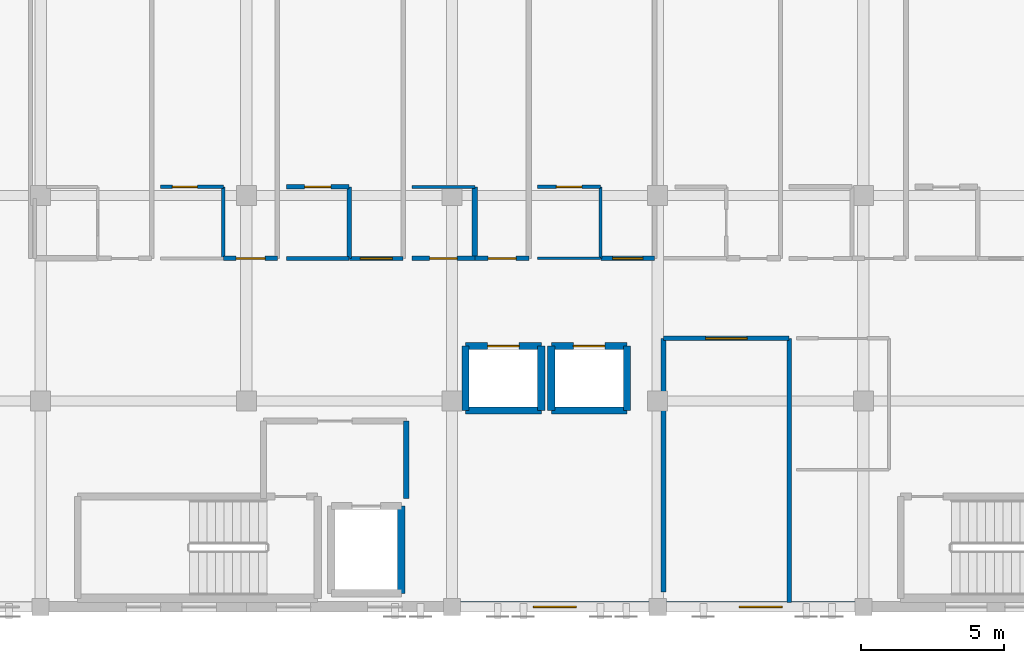
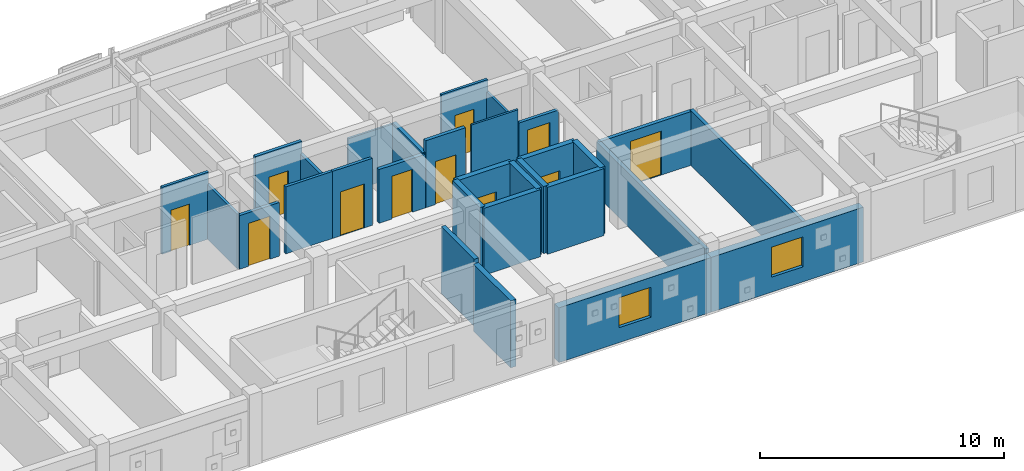
# One storey, part 38 of 48: 30 walls, 11 doors, 2 windows, 13 openings.
"""IFC4 building model written with IfcOpenShell, lengths in metres."""

from ifc_helpers import new_model, si_unit, direction, frame, frame_2d, origin, place, context, subcontext, project, spatial, rectangle, extrude, material, layer, layer_set, type_object, element, fill, save


model = new_model("IFC4")

# Units and contexts
model_context = context("Model", 3, precision=1e-05, world=origin(), true_north=direction((0.0, 1.0)))
body_context = subcontext(model_context, "Body", "Model", "MODEL_VIEW")
ifc_project = project(units=[si_unit("LENGTHUNIT", "METRE"), si_unit("AREAUNIT", "SQUARE_METRE"), si_unit("VOLUMEUNIT", "CUBIC_METRE"), si_unit("PLANEANGLEUNIT", "RADIAN"), si_unit("MASSUNIT", "GRAM", prefix="KILO")], contexts=[model_context])

# Site, building, storey
site_placement = place(None, origin())
site = spatial("IfcSite", under=ifc_project, at=site_placement, CompositionType="ELEMENT")
building_placement = place(site_placement, origin())
building = spatial("IfcBuilding", under=site, at=building_placement, Name="Carrowvane Square Congress Hotel", CompositionType="ELEMENT")
storey_placement = place(building_placement, frame((0.0, 0.0, 26.39990234375)))
storey = spatial("IfcBuildingStorey", under=building, at=storey_placement, Name="L06", CompositionType="ELEMENT", Elevation=26.39990234375)

# Wall, opening, window
ifc_material_1 = material(Name="Glazed terracotta rainscreen", Category="masonry")
ifc_layer_1 = layer(ifc_material_1, 0.360107421875)
ifc_layer_set_1 = layer_set([ifc_layer_1], Name="Glazed terracotta rainscreen")
wall_type_1 = type_object("IfcWallType", Name="WL-EXT-TC360", PredefinedType="STANDARD", material=ifc_layer_set_1)
wall_1_placement = place(storey_placement, frame((98.0, 91.800048828125, 0.0), z_axis=(0.0, 0.0, 1.0), x_axis=(-1.0, 0.0, 0.0)))
wall_1 = element("IfcWall", 1, at=wall_1_placement, inside=storey, type_object=wall_type_1, Name="L06 exterior facade wall 495", PredefinedType="STANDARD", context=body_context, shape_type="SweptSolid", body=[
    extrude(rectangle(XDim=7.199951171875, YDim=0.360107421875, at=frame_2d((3.60009765625, 0.0))), origin(), (0.0, 0.0, 1.0), 2.735107421875),
])
opening_1_placement = place(wall_1_placement, frame((2.85009765625, 0.0, 0.75)))
opening_1 = element("IfcOpeningElement", 2, at=opening_1_placement, cuts=wall_1, Name="Opening W-15", PredefinedType="OPENING", context=body_context, shape_type="SweptSolid", body=[
    extrude(rectangle(XDim=1.5, YDim=1.5, at=frame_2d((0.75, 0.75))), frame((0.0, 0.18994140625, 0.0), z_axis=(0.0, -1.0, 0.0), x_axis=(1.0, 0.0, 0.0)), (0.0, 0.0, 1.0), 0.380126953125),
])
ifc_material_2 = material(Name="Double-glazed low-E glass", Category="glass")
window_type = type_object("IfcWindowType", Name="WIN-15", PartitioningType="SINGLE_PANEL", PredefinedType="WINDOW", material=ifc_material_2)
window_1_placement = place(opening_1_placement, origin())
window_1 = element("IfcWindow", 3, at=window_1_placement, inside=storey, type_object=window_type, Name="L06 facade window 328", OverallHeight=1.5, OverallWidth=1.5, PartitioningType="SINGLE_PANEL", PredefinedType="WINDOW", context=body_context, shape_type="SweptSolid", body=[
    extrude(rectangle(XDim=1.5, YDim=1.5, at=frame_2d((0.75, 0.75))), frame((0.0, 0.030029296875, 0.0), z_axis=(0.0, -1.0, 0.0), x_axis=(1.0, 0.0, 0.0)), (0.0, 0.0, 1.0), 0.06005859375),
])
fill(opening_1, window_1)

wall_2_placement = place(storey_placement, frame((90.800048828125, 91.800048828125, 0.0), z_axis=(0.0, 0.0, 1.0), x_axis=(-1.0, 0.0, 0.0)))
wall_2 = element("IfcWall", 4, at=wall_2_placement, inside=storey, type_object=wall_type_1, Name="L06 exterior facade wall 496", PredefinedType="STANDARD", context=body_context, shape_type="SweptSolid", body=[
    extrude(rectangle(XDim=7.199951171875, YDim=0.360107421875, at=frame_2d((3.60009765625, 0.0))), origin(), (0.0, 0.0, 1.0), 2.735107421875),
])
opening_2_placement = place(wall_2_placement, frame((2.85009765625, 0.0, 0.75)))
opening_2 = element("IfcOpeningElement", 5, at=opening_2_placement, cuts=wall_2, Name="Opening W-15", PredefinedType="OPENING", context=body_context, shape_type="SweptSolid", body=[
    extrude(rectangle(XDim=1.5, YDim=1.5, at=frame_2d((0.75, 0.75))), frame((0.0, 0.18994140625, 0.0), z_axis=(0.0, -1.0, 0.0), x_axis=(1.0, 0.0, 0.0)), (0.0, 0.0, 1.0), 0.380126953125),
])
window_2_placement = place(opening_2_placement, origin())
window_2 = element("IfcWindow", 6, at=window_2_placement, inside=storey, type_object=window_type, Name="L06 facade window 329", OverallHeight=1.5, OverallWidth=1.5, PartitioningType="SINGLE_PANEL", PredefinedType="WINDOW", context=body_context, shape_type="SweptSolid", body=[
    extrude(rectangle(XDim=1.5, YDim=1.5, at=frame_2d((0.75, 0.75))), frame((0.0, 0.030029296875, 0.0), z_axis=(0.0, -1.0, 0.0), x_axis=(1.0, 0.0, 0.0)), (0.0, 0.0, 1.0), 0.06005859375),
])
fill(opening_2, window_2)

# Wall
ifc_material_3 = material(Name="Acoustic gypsum board", Category="gypsum")
ifc_layer_2 = layer(ifc_material_3, 0.155029296875)
ifc_layer_set_2 = layer_set([ifc_layer_2], Name="Acoustic gypsum board")
wall_type_2 = type_object("IfcWallType", Name="WL-FIR-155", PredefinedType="PARTITIONING", material=ifc_layer_set_2)
wall_3_placement = place(storey_placement, frame((95.39990234375, 101.199951171875, 0.0), z_axis=(0.0, 0.0, 1.0), x_axis=(0.0, -1.0, 0.0)))
element("IfcWall", 7, at=wall_3_placement, inside=storey, type_object=wall_type_2, Name="L06 L06 Housekeeping Linen Pantry partition", PredefinedType="PARTITIONING", context=body_context, shape_type="SweptSolid", body=[
    extrude(rectangle(XDim=9.239990234375, YDim=0.155029296875, at=frame_2d((4.6201171875, 0.0))), origin(), (0.0, 0.0, 1.0), 2.735107421875),
])

# Wall, opening, door
wall_4_placement = place(storey_placement, frame((77.800048828125, 106.5, 0.0), z_axis=(0.0, 0.0, 1.0), x_axis=(1.0, 0.0, 0.0)))
wall_4 = element("IfcWall", 8, at=wall_4_placement, inside=storey, type_object=wall_type_2, Name="L06 En-suite Bathroom 0614 partition", PredefinedType="PARTITIONING", context=body_context, shape_type="SweptSolid", body=[
    extrude(rectangle(XDim=2.199951171875, YDim=0.155029296875, at=frame_2d((1.10009765625, 0.0))), origin(), (0.0, 0.0, 1.0), 3.35009765625),
])
opening_3_placement = place(wall_4_placement, frame((0.639892578125, 0.0, 0.0)))
opening_3 = element("IfcOpeningElement", 9, at=opening_3_placement, cuts=wall_4, Name="Opening ID-03", PredefinedType="OPENING", context=body_context, shape_type="SweptSolid", body=[
    extrude(rectangle(XDim=0.919921875, YDim=2.10009765625, at=frame_2d((0.4599609375, 1.050048828125))), frame((0.0, 0.08740234375, 0.0), z_axis=(0.0, -1.0, 0.0), x_axis=(1.0, 0.0, 0.0)), (0.0, 0.0, 1.0), 0.175048828125),
])
ifc_material_4 = material(Name="European oak timber", Category="wood")
door_type_1 = type_object("IfcDoorType", Name="DR-INT-0920x2100", OperationType="NOTDEFINED", PredefinedType="DOOR", material=ifc_material_4)
door_1_placement = place(opening_3_placement, origin())
door_1 = element("IfcDoor", 10, at=door_1_placement, inside=storey, type_object=door_type_1, Name="L06 En-suite Bathroom 0614 door", OperationType="SINGLE_SWING_RIGHT", OverallHeight=2.10009765625, OverallWidth=0.919921875, PredefinedType="DOOR", context=body_context, shape_type="SweptSolid", body=[
    extrude(rectangle(XDim=0.919921875, YDim=2.10009765625, at=frame_2d((0.4599609375, 1.050048828125))), frame((0.0, 0.02490234375, 0.0), z_axis=(0.0, -1.0, 0.0), x_axis=(1.0, 0.0, 0.0)), (0.0, 0.0, 1.0), 0.050048828125),
])
fill(opening_3, door_1)

ifc_material_5 = material(Name="Acoustic gypsum board", Category="gypsum")
ifc_layer_3 = layer(ifc_material_5, 0.169921875)
ifc_layer_set_3 = layer_set([ifc_layer_3], Name="Acoustic gypsum board")
wall_type_3 = type_object("IfcWallType", Name="WL-FIR-170", PredefinedType="PARTITIONING", material=ifc_layer_set_3)
wall_5_placement = place(storey_placement, frame((91.0, 101.199951171875, 0.0), z_axis=(0.0, 0.0, 1.0), x_axis=(1.0, 0.0, 0.0)))
wall_5 = element("IfcWall", 11, at=wall_5_placement, inside=storey, type_object=wall_type_3, Name="L06 L06 Housekeeping Linen Pantry partition", PredefinedType="PARTITIONING", context=body_context, shape_type="SweptSolid", body=[
    extrude(rectangle(XDim=4.39990234375, YDim=0.169921875, at=frame_2d((2.199951171875, 0.0))), origin(), (0.0, 0.0, 1.0), 2.68505859375),
])
opening_4_placement = place(wall_5_placement, frame((1.47509765625, 0.0, 0.0)))
opening_4 = element("IfcOpeningElement", 12, at=opening_4_placement, cuts=wall_5, Name="Opening FD-11", PredefinedType="OPENING", context=body_context, shape_type="SweptSolid", body=[
    extrude(rectangle(XDim=1.449951171875, YDim=2.199951171875, at=frame_2d((0.72509765625, 1.10009765625))), frame((0.0, 0.094970703125, 0.0), z_axis=(0.0, -1.0, 0.0), x_axis=(1.0, 0.0, 0.0)), (0.0, 0.0, 1.0), 0.18994140625),
])
ifc_material_6 = material(Name="European oak timber", Category="wood")
door_type_2 = type_object("IfcDoorType", Name="DR-FD30-1450x2200", OperationType="DOUBLE_DOOR_SINGLE_SWING", PredefinedType="DOOR", material=ifc_material_6)
door_2_placement = place(opening_4_placement, origin())
door_2 = element("IfcDoor", 13, at=door_2_placement, inside=storey, type_object=door_type_2, Name="L06 L06 Housekeeping Linen Pantry entrance door", OperationType="DOUBLE_DOOR_SINGLE_SWING", OverallHeight=2.199951171875, OverallWidth=1.449951171875, PredefinedType="DOOR", context=body_context, shape_type="SweptSolid", body=[
    extrude(rectangle(XDim=1.449951171875, YDim=2.199951171875, at=frame_2d((0.72509765625, 1.10009765625))), frame((0.0, 0.02490234375, 0.0), z_axis=(0.0, -1.0, 0.0), x_axis=(1.0, 0.0, 0.0)), (0.0, 0.0, 1.0), 0.050048828125),
])
fill(opening_4, door_2)

wall_6_placement = place(storey_placement, frame((84.39990234375, 104.0, 0.0), z_axis=(0.0, 0.0, 1.0), x_axis=(-1.0, 0.0, 0.0)))
wall_6 = element("IfcWall", 14, at=wall_6_placement, inside=storey, type_object=wall_type_3, Name="L06 En-suite Bathroom 0615 partition", PredefinedType="PARTITIONING", context=body_context, shape_type="SweptSolid", body=[
    extrude(rectangle(XDim=2.199951171875, YDim=0.169921875, at=frame_2d((1.10009765625, 0.0))), origin(), (0.0, 0.0, 1.0), 2.68505859375),
])
opening_5_placement = place(wall_6_placement, frame((0.6201171875, 0.0, 0.0)))
opening_5 = element("IfcOpeningElement", 15, at=opening_5_placement, cuts=wall_6, Name="Opening ID-05", PredefinedType="OPENING", context=body_context, shape_type="SweptSolid", body=[
    extrude(rectangle(XDim=0.9599609375, YDim=2.139892578125, at=frame_2d((0.47998046875, 1.06982421875))), frame((0.0, 0.094970703125, 0.0), z_axis=(0.0, -1.0, 0.0), x_axis=(1.0, 0.0, 0.0)), (0.0, 0.0, 1.0), 0.18994140625),
])
ifc_material_7 = material(Name="European oak timber", Category="wood")
door_type_3 = type_object("IfcDoorType", Name="DR-INT-0960x2140", OperationType="NOTDEFINED", PredefinedType="DOOR", material=ifc_material_7)
door_3_placement = place(opening_5_placement, origin())
door_3 = element("IfcDoor", 16, at=door_3_placement, inside=storey, type_object=door_type_3, Name="L06 En-suite Bathroom 0615 door", OperationType="SINGLE_SWING_RIGHT", OverallHeight=2.139892578125, OverallWidth=0.9599609375, PredefinedType="DOOR", context=body_context, shape_type="SweptSolid", body=[
    extrude(rectangle(XDim=0.9599609375, YDim=2.139892578125, at=frame_2d((0.47998046875, 1.06982421875))), frame((0.0, 0.02490234375, 0.0), z_axis=(0.0, -1.0, 0.0), x_axis=(1.0, 0.0, 0.0)), (0.0, 0.0, 1.0), 0.050048828125),
])
fill(opening_5, door_3)

wall_7_placement = place(storey_placement, frame((86.2900390625, 104.0, 0.0), z_axis=(0.0, 0.0, 1.0), x_axis=(-1.0, 0.0, 0.0)))
wall_7 = element("IfcWall", 17, at=wall_7_placement, inside=storey, type_object=wall_type_3, Name="L06 Parkview Guest Bedroom 0615 partition", PredefinedType="PARTITIONING", context=body_context, shape_type="SweptSolid", body=[
    extrude(rectangle(XDim=1.880126953125, YDim=0.169921875, at=frame_2d((0.93994140625, 0.0))), origin(), (0.0, 0.0, 1.0), 3.35009765625),
])
opening_6_placement = place(wall_7_placement, frame((0.449951171875, 0.0, 0.0)))
opening_6 = element("IfcOpeningElement", 18, at=opening_6_placement, cuts=wall_7, Name="Opening FD-07", PredefinedType="OPENING", context=body_context, shape_type="SweptSolid", body=[
    extrude(rectangle(XDim=0.97998046875, YDim=2.14990234375, at=frame_2d((0.489990234375, 1.074951171875))), frame((0.0, 0.094970703125, 0.0), z_axis=(0.0, -1.0, 0.0), x_axis=(1.0, 0.0, 0.0)), (0.0, 0.0, 1.0), 0.18994140625),
])
ifc_material_8 = material(Name="European oak timber", Category="wood")
door_type_4 = type_object("IfcDoorType", Name="DR-FD30-0980x2150", OperationType="NOTDEFINED", PredefinedType="DOOR", material=ifc_material_8)
door_4_placement = place(opening_6_placement, origin())
door_4 = element("IfcDoor", 19, at=door_4_placement, inside=storey, type_object=door_type_4, Name="L06 Parkview Guest Bedroom 0615 entrance door", OperationType="SINGLE_SWING_LEFT", OverallHeight=2.14990234375, OverallWidth=0.97998046875, PredefinedType="DOOR", context=body_context, shape_type="SweptSolid", body=[
    extrude(rectangle(XDim=0.97998046875, YDim=2.14990234375, at=frame_2d((0.489990234375, 1.074951171875))), frame((0.0, 0.02490234375, 0.0), z_axis=(0.0, -1.0, 0.0), x_axis=(1.0, 0.0, 0.0)), (0.0, 0.0, 1.0), 0.050048828125),
])
fill(opening_6, door_4)

# Walls
ifc_material_9 = material(Name="Acoustic gypsum board", Category="gypsum")
ifc_layer_4 = layer(ifc_material_9, 0.18505859375)
ifc_layer_set_4 = layer_set([ifc_layer_4], Name="Acoustic gypsum board")
wall_type_4 = type_object("IfcWallType", Name="WL-FIR-185", PredefinedType="PARTITIONING", material=ifc_layer_set_4)
wall_8_placement = place(storey_placement, frame((91.0, 92.320068359375, 0.0), z_axis=(0.0, 0.0, 1.0), x_axis=(0.0, 1.0, 0.0)))
element("IfcWall", 20, at=wall_8_placement, inside=storey, type_object=wall_type_4, Name="L06 L06 Housekeeping Linen Pantry partition", PredefinedType="PARTITIONING", context=body_context, shape_type="SweptSolid", body=[
    extrude(rectangle(XDim=8.8798828125, YDim=0.18505859375, at=frame_2d((4.43994140625, 0.0))), origin(), (0.0, 0.0, 1.0), 2.68505859375),
])
wall_9_placement = place(storey_placement, frame((84.39990234375, 106.5, 0.0), z_axis=(0.0, 0.0, 1.0), x_axis=(0.0, -1.0, 0.0)))
element("IfcWall", 21, at=wall_9_placement, inside=storey, type_object=wall_type_4, Name="L06 En-suite Bathroom 0615 partition", PredefinedType="PARTITIONING", context=body_context, shape_type="SweptSolid", body=[
    extrude(rectangle(XDim=2.5, YDim=0.18505859375, at=frame_2d((1.25, 0.0))), origin(), (0.0, 0.0, 1.0), 2.735107421875),
])
ifc_material_10 = material(Name="Acoustic gypsum board", Category="gypsum")
ifc_layer_5 = layer(ifc_material_10, 0.205078125)
ifc_layer_set_5 = layer_set([ifc_layer_5], Name="Acoustic gypsum board")
wall_type_5 = type_object("IfcWallType", Name="WL-FIR-205", PredefinedType="PARTITIONING", material=ifc_layer_set_5)
wall_10_placement = place(storey_placement, frame((82.0, 95.60009765625, 0.0), z_axis=(0.0, 0.0, 1.0), x_axis=(0.0, 1.0, 0.0)))
element("IfcWall", 22, at=wall_10_placement, inside=storey, type_object=wall_type_5, Name="L06 Firefighting Lobby C2 wall east", PredefinedType="PARTITIONING", context=body_context, shape_type="SweptSolid", body=[
    extrude(rectangle(XDim=2.699951171875, YDim=0.205078125, at=frame_2d((1.35009765625, 0.0))), origin(), (0.0, 0.0, 1.0), 3.35009765625),
])
ifc_material_11 = material(Name="Acoustic gypsum board", Category="gypsum")
ifc_layer_6 = layer(ifc_material_11, 0.097900390625)
ifc_layer_set_6 = layer_set([ifc_layer_6], Name="Acoustic gypsum board")
wall_type_6 = type_object("IfcWallType", Name="WL-PRT-098", PredefinedType="PARTITIONING", material=ifc_layer_set_6)
wall_11_placement = place(storey_placement, frame((82.199951171875, 106.5, 0.0), z_axis=(0.0, 0.0, 1.0), x_axis=(1.0, 0.0, 0.0)))
element("IfcWall", 23, at=wall_11_placement, inside=storey, type_object=wall_type_6, Name="L06 En-suite Bathroom 0615 partition", PredefinedType="PARTITIONING", context=body_context, shape_type="SweptSolid", body=[
    extrude(rectangle(XDim=2.199951171875, YDim=0.097900390625, at=frame_2d((1.10009765625, 0.0))), origin(), (0.0, 0.0, 1.0), 2.68505859375),
])
wall_12_placement = place(storey_placement, frame((88.800048828125, 104.0, 0.0), z_axis=(0.0, 0.0, 1.0), x_axis=(-1.0, 0.0, 0.0)))
element("IfcWall", 24, at=wall_12_placement, inside=storey, type_object=wall_type_6, Name="L06 En-suite Bathroom 0616 partition", PredefinedType="PARTITIONING", context=body_context, shape_type="SweptSolid", body=[
    extrude(rectangle(XDim=2.199951171875, YDim=0.097900390625, at=frame_2d((1.10009765625, 0.0))), origin(), (0.0, 0.0, 1.0), 3.35009765625),
])
ifc_material_12 = material(Name="Acoustic gypsum board", Category="gypsum")
ifc_layer_7 = layer(ifc_material_12, 0.10791015625)
ifc_layer_set_7 = layer_set([ifc_layer_7], Name="Acoustic gypsum board")
wall_type_7 = type_object("IfcWallType", Name="WL-PRT-108", PredefinedType="PARTITIONING", material=ifc_layer_set_7)
wall_13_placement = place(storey_placement, frame((88.800048828125, 106.5, 0.0), z_axis=(0.0, 0.0, 1.0), x_axis=(0.0, -1.0, 0.0)))
element("IfcWall", 25, at=wall_13_placement, inside=storey, type_object=wall_type_7, Name="L06 En-suite Bathroom 0616 partition", PredefinedType="PARTITIONING", context=body_context, shape_type="SweptSolid", body=[
    extrude(rectangle(XDim=2.5, YDim=0.10791015625, at=frame_2d((1.25, 0.0))), origin(), (0.0, 0.0, 1.0), 2.735107421875),
])
ifc_material_13 = material(Name="Acoustic gypsum board", Category="gypsum")
ifc_layer_8 = layer(ifc_material_13, 0.117919921875)
ifc_layer_set_8 = layer_set([ifc_layer_8], Name="Acoustic gypsum board")
wall_type_8 = type_object("IfcWallType", Name="WL-PRT-118", PredefinedType="PARTITIONING", material=ifc_layer_set_8)
wall_14_placement = place(storey_placement, frame((75.60009765625, 106.5, 0.0), z_axis=(0.0, 0.0, 1.0), x_axis=(0.0, -1.0, 0.0)))
element("IfcWall", 26, at=wall_14_placement, inside=storey, type_object=wall_type_8, Name="L06 En-suite Bathroom 0613 partition", PredefinedType="PARTITIONING", context=body_context, shape_type="SweptSolid", body=[
    extrude(rectangle(XDim=2.5, YDim=0.117919921875, at=frame_2d((1.25, 0.0))), origin(), (0.0, 0.0, 1.0), 2.735107421875),
])

# Wall, opening, door
wall_15_placement = place(storey_placement, frame((86.60009765625, 106.5, 0.0), z_axis=(0.0, 0.0, 1.0), x_axis=(1.0, 0.0, 0.0)))
wall_15 = element("IfcWall", 27, at=wall_15_placement, inside=storey, type_object=wall_type_8, Name="L06 En-suite Bathroom 0616 partition", PredefinedType="PARTITIONING", context=body_context, shape_type="SweptSolid", body=[
    extrude(rectangle(XDim=2.199951171875, YDim=0.117919921875, at=frame_2d((1.10009765625, 0.0))), origin(), (0.0, 0.0, 1.0), 3.35009765625),
])
opening_7_placement = place(wall_15_placement, frame((0.655029296875, 0.0, 0.0)))
opening_7 = element("IfcOpeningElement", 28, at=opening_7_placement, cuts=wall_15, Name="Opening ID-16", PredefinedType="OPENING", context=body_context, shape_type="SweptSolid", body=[
    extrude(rectangle(XDim=0.889892578125, YDim=2.090087890625, at=frame_2d((0.44482421875, 1.044921875))), frame((0.0, 0.06884765625, 0.0), z_axis=(0.0, -1.0, 0.0), x_axis=(1.0, 0.0, 0.0)), (0.0, 0.0, 1.0), 0.137939453125),
])
ifc_material_14 = material(Name="European oak timber", Category="wood")
door_type_5 = type_object("IfcDoorType", Name="DR-INT-0890x2090", OperationType="NOTDEFINED", PredefinedType="DOOR", material=ifc_material_14)
door_5_placement = place(opening_7_placement, origin())
door_5 = element("IfcDoor", 29, at=door_5_placement, inside=storey, type_object=door_type_5, Name="L06 En-suite Bathroom 0616 door", OperationType="SINGLE_SWING_RIGHT", OverallHeight=2.090087890625, OverallWidth=0.889892578125, PredefinedType="DOOR", context=body_context, shape_type="SweptSolid", body=[
    extrude(rectangle(XDim=0.889892578125, YDim=2.090087890625, at=frame_2d((0.44482421875, 1.044921875))), frame((0.0, 0.02490234375, 0.0), z_axis=(0.0, -1.0, 0.0), x_axis=(1.0, 0.0, 0.0)), (0.0, 0.0, 1.0), 0.050048828125),
])
fill(opening_7, door_5)

ifc_material_15 = material(Name="Acoustic gypsum board", Category="gypsum")
ifc_layer_9 = layer(ifc_material_15, 0.1279296875)
ifc_layer_set_9 = layer_set([ifc_layer_9], Name="Acoustic gypsum board")
wall_type_9 = type_object("IfcWallType", Name="WL-PRT-128", PredefinedType="PARTITIONING", material=ifc_layer_set_9)
wall_16_placement = place(storey_placement, frame((73.39990234375, 106.5, 0.0), z_axis=(0.0, 0.0, 1.0), x_axis=(1.0, 0.0, 0.0)))
wall_16 = element("IfcWall", 30, at=wall_16_placement, inside=storey, type_object=wall_type_9, Name="L06 En-suite Bathroom 0613 partition", PredefinedType="PARTITIONING", context=body_context, shape_type="SweptSolid", body=[
    extrude(rectangle(XDim=2.2001953125, YDim=0.1279296875, at=frame_2d((1.10009765625, 0.0))), origin(), (0.0, 0.0, 1.0), 3.35009765625),
])
opening_8_placement = place(wall_16_placement, frame((0.409912109375, 0.0, 0.0)))
opening_8 = element("IfcOpeningElement", 31, at=opening_8_placement, cuts=wall_16, Name="Opening ID-01", PredefinedType="OPENING", context=body_context, shape_type="SweptSolid", body=[
    extrude(rectangle(XDim=0.8798828125, YDim=2.06005859375, at=frame_2d((0.43994140625, 1.030029296875))), frame((0.0, 0.073974609375, 0.0), z_axis=(0.0, -1.0, 0.0), x_axis=(1.0, 0.0, 0.0)), (0.0, 0.0, 1.0), 0.14794921875),
])
ifc_material_16 = material(Name="European oak timber", Category="wood")
door_type_6 = type_object("IfcDoorType", Name="DR-INT-0880x2060", OperationType="NOTDEFINED", PredefinedType="DOOR", material=ifc_material_16)
door_6_placement = place(opening_8_placement, origin())
door_6 = element("IfcDoor", 32, at=door_6_placement, inside=storey, type_object=door_type_6, Name="L06 En-suite Bathroom 0613 door", OperationType="SINGLE_SWING_RIGHT", OverallHeight=2.06005859375, OverallWidth=0.8798828125, PredefinedType="DOOR", context=body_context, shape_type="SweptSolid", body=[
    extrude(rectangle(XDim=0.8798828125, YDim=2.06005859375, at=frame_2d((0.43994140625, 1.030029296875))), frame((0.0, 0.02490234375, 0.0), z_axis=(0.0, -1.0, 0.0), x_axis=(1.0, 0.0, 0.0)), (0.0, 0.0, 1.0), 0.050048828125),
])
fill(opening_8, door_6)

# Wall
ifc_material_17 = material(Name="Acoustic gypsum board", Category="gypsum")
ifc_layer_10 = layer(ifc_material_17, 0.137939453125)
ifc_layer_set_10 = layer_set([ifc_layer_10], Name="Acoustic gypsum board")
wall_type_10 = type_object("IfcWallType", Name="WL-PRT-138", PredefinedType="PARTITIONING", material=ifc_layer_set_10)
wall_17_placement = place(storey_placement, frame((80.0, 104.0, 0.0), z_axis=(0.0, 0.0, 1.0), x_axis=(-1.0, 0.0, 0.0)))
element("IfcWall", 33, at=wall_17_placement, inside=storey, type_object=wall_type_10, Name="L06 En-suite Bathroom 0614 partition", PredefinedType="PARTITIONING", context=body_context, shape_type="SweptSolid", body=[
    extrude(rectangle(XDim=2.199951171875, YDim=0.137939453125, at=frame_2d((1.10009765625, 0.0))), origin(), (0.0, 0.0, 1.0), 3.35009765625),
])

# Wall, opening, door
wall_18_placement = place(storey_placement, frame((81.889892578125, 104.0, 0.0), z_axis=(0.0, 0.0, 1.0), x_axis=(-1.0, 0.0, 0.0)))
wall_18 = element("IfcWall", 34, at=wall_18_placement, inside=storey, type_object=wall_type_10, Name="L06 Parkview Guest Bedroom 0614 partition", PredefinedType="PARTITIONING", context=body_context, shape_type="SweptSolid", body=[
    extrude(rectangle(XDim=1.8798828125, YDim=0.137939453125, at=frame_2d((0.93994140625, 0.0))), origin(), (0.0, 0.0, 1.0), 3.35009765625),
])
opening_9_placement = place(wall_18_placement, frame((0.3798828125, 0.0, 0.0)))
opening_9 = element("IfcOpeningElement", 35, at=opening_9_placement, cuts=wall_18, Name="Opening FD-10", PredefinedType="OPENING", context=body_context, shape_type="SweptSolid", body=[
    extrude(rectangle(XDim=1.1201171875, YDim=2.199951171875, at=frame_2d((0.56005859375, 1.10009765625))), frame((0.0, 0.078857421875, 0.0), z_axis=(0.0, -1.0, 0.0), x_axis=(1.0, 0.0, 0.0)), (0.0, 0.0, 1.0), 0.157958984375),
])
ifc_material_18 = material(Name="European oak timber", Category="wood")
door_type_7 = type_object("IfcDoorType", Name="DR-FD30-1120x2200", OperationType="NOTDEFINED", PredefinedType="DOOR", material=ifc_material_18)
door_7_placement = place(opening_9_placement, origin())
door_7 = element("IfcDoor", 36, at=door_7_placement, inside=storey, type_object=door_type_7, Name="L06 Parkview Guest Bedroom 0614 entrance door", OperationType="SINGLE_SWING_LEFT", OverallHeight=2.199951171875, OverallWidth=1.1201171875, PredefinedType="DOOR", context=body_context, shape_type="SweptSolid", body=[
    extrude(rectangle(XDim=1.1201171875, YDim=2.199951171875, at=frame_2d((0.56005859375, 1.10009765625))), frame((0.0, 0.02490234375, 0.0), z_axis=(0.0, -1.0, 0.0), x_axis=(1.0, 0.0, 0.0)), (0.0, 0.0, 1.0), 0.050048828125),
])
fill(opening_9, door_7)

ifc_material_19 = material(Name="Acoustic gypsum board", Category="gypsum")
ifc_layer_11 = layer(ifc_material_19, 0.14794921875)
ifc_layer_set_11 = layer_set([ifc_layer_11], Name="Acoustic gypsum board")
wall_type_11 = type_object("IfcWallType", Name="WL-PRT-148", PredefinedType="PARTITIONING", material=ifc_layer_set_11)
wall_19_placement = place(storey_placement, frame((77.489990234375, 104.0, 0.0), z_axis=(0.0, 0.0, 1.0), x_axis=(-1.0, 0.0, 0.0)))
wall_19 = element("IfcWall", 37, at=wall_19_placement, inside=storey, type_object=wall_type_11, Name="L06 Parkview Guest Bedroom 0613 partition", PredefinedType="PARTITIONING", context=body_context, shape_type="SweptSolid", body=[
    extrude(rectangle(XDim=1.8798828125, YDim=0.14794921875, at=frame_2d((0.93994140625, 0.0))), origin(), (0.0, 0.0, 1.0), 2.68505859375),
])
opening_10_placement = place(wall_19_placement, frame((0.429931640625, 0.0, 0.0)))
opening_10 = element("IfcOpeningElement", 38, at=opening_10_placement, cuts=wall_19, Name="Opening FD-08", PredefinedType="OPENING", context=body_context, shape_type="SweptSolid", body=[
    extrude(rectangle(XDim=1.02001953125, YDim=2.14990234375, at=frame_2d((0.510009765625, 1.074951171875))), frame((0.0, 0.083984375, 0.0), z_axis=(0.0, -1.0, 0.0), x_axis=(1.0, 0.0, 0.0)), (0.0, 0.0, 1.0), 0.16796875),
])
ifc_material_20 = material(Name="European oak timber", Category="wood")
door_type_8 = type_object("IfcDoorType", Name="DR-FD30-1020x2150", OperationType="NOTDEFINED", PredefinedType="DOOR", material=ifc_material_20)
door_8_placement = place(opening_10_placement, origin())
door_8 = element("IfcDoor", 39, at=door_8_placement, inside=storey, type_object=door_type_8, Name="L06 Parkview Guest Bedroom 0613 entrance door", OperationType="SINGLE_SWING_LEFT", OverallHeight=2.14990234375, OverallWidth=1.02001953125, PredefinedType="DOOR", context=body_context, shape_type="SweptSolid", body=[
    extrude(rectangle(XDim=1.02001953125, YDim=2.14990234375, at=frame_2d((0.510009765625, 1.074951171875))), frame((0.0, 0.02490234375, 0.0), z_axis=(0.0, -1.0, 0.0), x_axis=(1.0, 0.0, 0.0)), (0.0, 0.0, 1.0), 0.050048828125),
])
fill(opening_10, door_8)

# Wall
wall_20_placement = place(storey_placement, frame((80.0, 106.5, 0.0), z_axis=(0.0, 0.0, 1.0), x_axis=(0.0, -1.0, 0.0)))
element("IfcWall", 40, at=wall_20_placement, inside=storey, type_object=wall_type_11, Name="L06 En-suite Bathroom 0614 partition", PredefinedType="PARTITIONING", context=body_context, shape_type="SweptSolid", body=[
    extrude(rectangle(XDim=2.5, YDim=0.14794921875, at=frame_2d((1.25, 0.0))), origin(), (0.0, 0.0, 1.0), 2.735107421875),
])

# Wall, opening, door
wall_21_placement = place(storey_placement, frame((90.68994140625, 104.0, 0.0), z_axis=(0.0, 0.0, 1.0), x_axis=(-1.0, 0.0, 0.0)))
wall_21 = element("IfcWall", 41, at=wall_21_placement, inside=storey, type_object=wall_type_11, Name="L06 Parkview Guest Bedroom 0616 partition", PredefinedType="PARTITIONING", context=body_context, shape_type="SweptSolid", body=[
    extrude(rectangle(XDim=1.8798828125, YDim=0.14794921875, at=frame_2d((0.93994140625, 0.0))), origin(), (0.0, 0.0, 1.0), 2.68505859375),
])
opening_11_placement = place(wall_21_placement, frame((0.409912109375, 0.0, 0.0)))
opening_11 = element("IfcOpeningElement", 42, at=opening_11_placement, cuts=wall_21, Name="Opening FD-09", PredefinedType="OPENING", context=body_context, shape_type="SweptSolid", body=[
    extrude(rectangle(XDim=1.06005859375, YDim=2.199951171875, at=frame_2d((0.530029296875, 1.10009765625))), frame((0.0, 0.083984375, 0.0), z_axis=(0.0, -1.0, 0.0), x_axis=(1.0, 0.0, 0.0)), (0.0, 0.0, 1.0), 0.16796875),
])
ifc_material_21 = material(Name="European oak timber", Category="wood")
door_type_9 = type_object("IfcDoorType", Name="DR-FD30-1060x2200", OperationType="NOTDEFINED", PredefinedType="DOOR", material=ifc_material_21)
door_9_placement = place(opening_11_placement, origin())
door_9 = element("IfcDoor", 43, at=door_9_placement, inside=storey, type_object=door_type_9, Name="L06 Parkview Guest Bedroom 0616 entrance door", OperationType="SINGLE_SWING_LEFT", OverallHeight=2.199951171875, OverallWidth=1.06005859375, PredefinedType="DOOR", context=body_context, shape_type="SweptSolid", body=[
    extrude(rectangle(XDim=1.06005859375, YDim=2.199951171875, at=frame_2d((0.530029296875, 1.10009765625))), frame((0.0, 0.02490234375, 0.0), z_axis=(0.0, -1.0, 0.0), x_axis=(1.0, 0.0, 0.0)), (0.0, 0.0, 1.0), 0.050048828125),
])
fill(opening_11, door_9)

# Walls
ifc_material_22 = material(Name="Concrete C40/50", Category="concrete")
ifc_layer_12 = layer(ifc_material_22, 0.25)
ifc_layer_set_12 = layer_set([ifc_layer_12], Name="Concrete C40/50")
wall_type_12 = type_object("IfcWallType", Name="WL-SHR-250", PredefinedType="SHEAR", material=ifc_layer_set_12)
wall_22_placement = place(storey_placement, frame((81.824951171875, 92.27490234375, 0.0), z_axis=(0.0, 0.0, 1.0), x_axis=(0.0, 1.0, 0.0)))
element("IfcWall", 44, at=wall_22_placement, inside=storey, type_object=wall_type_12, Name="L06 FFL-2 shaft wall east", PredefinedType="SHEAR", context=body_context, shape_type="SweptSolid", body=[
    extrude(rectangle(XDim=3.050048828125, YDim=0.25, at=frame_2d((1.52490234375, 0.0))), origin(), (0.0, 0.0, 1.0), 3.35009765625),
])
wall_23_placement = place(storey_placement, frame((84.074951171875, 98.675048828125, 0.0), z_axis=(0.0, 0.0, 1.0), x_axis=(1.0, 0.0, 0.0)))
element("IfcWall", 45, at=wall_23_placement, inside=storey, type_object=wall_type_12, Name="L06 HL-1 shaft wall south", PredefinedType="SHEAR", context=body_context, shape_type="SweptSolid", body=[
    extrude(rectangle(XDim=2.650146484375, YDim=0.25, at=frame_2d((1.3251953125, 0.0))), origin(), (0.0, 0.0, 1.0), 3.35009765625),
])
wall_24_placement = place(storey_placement, frame((86.72509765625, 98.675048828125, 0.0), z_axis=(0.0, 0.0, 1.0), x_axis=(0.0, 1.0, 0.0)))
element("IfcWall", 46, at=wall_24_placement, inside=storey, type_object=wall_type_12, Name="L06 HL-1 shaft wall east", PredefinedType="SHEAR", context=body_context, shape_type="SweptSolid", body=[
    extrude(rectangle(XDim=2.25, YDim=0.25, at=frame_2d((1.125, 0.0))), origin(), (0.0, 0.0, 1.0), 3.35009765625),
])

# Wall, opening, door
wall_25_placement = place(storey_placement, frame((86.72509765625, 100.925048828125, 0.0), z_axis=(0.0, 0.0, 1.0), x_axis=(-1.0, 0.0, 0.0)))
wall_25 = element("IfcWall", 47, at=wall_25_placement, inside=storey, type_object=wall_type_12, Name="L06 HL-1 shaft wall north", PredefinedType="SHEAR", context=body_context, shape_type="SweptSolid", body=[
    extrude(rectangle(XDim=2.650146484375, YDim=0.25, at=frame_2d((1.3251953125, 0.0))), origin(), (0.0, 0.0, 1.0), 3.35009765625),
])
opening_12_placement = place(wall_25_placement, frame((0.77490234375, 0.0, 0.0)))
opening_12 = element("IfcOpeningElement", 48, at=opening_12_placement, cuts=wall_25, Name="Opening LD-HL-1", PredefinedType="OPENING", context=body_context, shape_type="SweptSolid", body=[
    extrude(rectangle(XDim=1.10009765625, YDim=2.14990234375, at=frame_2d((0.550048828125, 1.074951171875))), frame((0.0, 0.135009765625, 0.0), z_axis=(0.0, -1.0, 0.0), x_axis=(1.0, 0.0, 0.0)), (0.0, 0.0, 1.0), 0.27001953125),
])
ifc_material_23 = material(Name="Stainless steel 316", Category="steel")
door_type_10 = type_object("IfcDoorType", Name="DR-LD-1100x2150", OperationType="DOUBLE_DOOR_SLIDING", PredefinedType="DOOR", material=ifc_material_23)
door_10_placement = place(opening_12_placement, origin())
door_10 = element("IfcDoor", 49, at=door_10_placement, inside=storey, type_object=door_type_10, Name="L06 HL-1 sliding lift landing door", OperationType="DOUBLE_DOOR_SLIDING", OverallHeight=2.14990234375, OverallWidth=1.10009765625, PredefinedType="DOOR", context=body_context, shape_type="SweptSolid", body=[
    extrude(rectangle(XDim=1.10009765625, YDim=2.14990234375, at=frame_2d((0.550048828125, 1.074951171875))), frame((0.0, 0.02490234375, 0.0), z_axis=(0.0, -1.0, 0.0), x_axis=(1.0, 0.0, 0.0)), (0.0, 0.0, 1.0), 0.050048828125),
])
fill(opening_12, door_10)

# Walls
wall_26_placement = place(storey_placement, frame((84.074951171875, 100.925048828125, 0.0), z_axis=(0.0, 0.0, 1.0), x_axis=(0.0, -1.0, 0.0)))
element("IfcWall", 50, at=wall_26_placement, inside=storey, type_object=wall_type_12, Name="L06 HL-1 shaft wall west", PredefinedType="SHEAR", context=body_context, shape_type="SweptSolid", body=[
    extrude(rectangle(XDim=2.25, YDim=0.25, at=frame_2d((1.125, 0.0))), origin(), (0.0, 0.0, 1.0), 3.35009765625),
])
wall_27_placement = place(storey_placement, frame((87.074951171875, 98.675048828125, 0.0), z_axis=(0.0, 0.0, 1.0), x_axis=(1.0, 0.0, 0.0)))
element("IfcWall", 51, at=wall_27_placement, inside=storey, type_object=wall_type_12, Name="L06 HL-2 shaft wall south", PredefinedType="SHEAR", context=body_context, shape_type="SweptSolid", body=[
    extrude(rectangle(XDim=2.650146484375, YDim=0.25, at=frame_2d((1.3251953125, 0.0))), origin(), (0.0, 0.0, 1.0), 3.35009765625),
])
wall_28_placement = place(storey_placement, frame((89.72509765625, 98.675048828125, 0.0), z_axis=(0.0, 0.0, 1.0), x_axis=(0.0, 1.0, 0.0)))
element("IfcWall", 52, at=wall_28_placement, inside=storey, type_object=wall_type_12, Name="L06 HL-2 shaft wall east", PredefinedType="SHEAR", context=body_context, shape_type="SweptSolid", body=[
    extrude(rectangle(XDim=2.25, YDim=0.25, at=frame_2d((1.125, 0.0))), origin(), (0.0, 0.0, 1.0), 3.35009765625),
])

# Wall, opening, door
wall_29_placement = place(storey_placement, frame((89.72509765625, 100.925048828125, 0.0), z_axis=(0.0, 0.0, 1.0), x_axis=(-1.0, 0.0, 0.0)))
wall_29 = element("IfcWall", 53, at=wall_29_placement, inside=storey, type_object=wall_type_12, Name="L06 HL-2 shaft wall north", PredefinedType="SHEAR", context=body_context, shape_type="SweptSolid", body=[
    extrude(rectangle(XDim=2.650146484375, YDim=0.25, at=frame_2d((1.3251953125, 0.0))), origin(), (0.0, 0.0, 1.0), 3.35009765625),
])
opening_13_placement = place(wall_29_placement, frame((0.77490234375, 0.0, 0.0)))
opening_13 = element("IfcOpeningElement", 54, at=opening_13_placement, cuts=wall_29, Name="Opening LD-HL-2", PredefinedType="OPENING", context=body_context, shape_type="SweptSolid", body=[
    extrude(rectangle(XDim=1.10009765625, YDim=2.14990234375, at=frame_2d((0.550048828125, 1.074951171875))), frame((0.0, 0.135009765625, 0.0), z_axis=(0.0, -1.0, 0.0), x_axis=(1.0, 0.0, 0.0)), (0.0, 0.0, 1.0), 0.27001953125),
])
door_11_placement = place(opening_13_placement, origin())
door_11 = element("IfcDoor", 55, at=door_11_placement, inside=storey, type_object=door_type_10, Name="L06 HL-2 sliding lift landing door", OperationType="DOUBLE_DOOR_SLIDING", OverallHeight=2.14990234375, OverallWidth=1.10009765625, PredefinedType="DOOR", context=body_context, shape_type="SweptSolid", body=[
    extrude(rectangle(XDim=1.10009765625, YDim=2.14990234375, at=frame_2d((0.550048828125, 1.074951171875))), frame((0.0, 0.02490234375, 0.0), z_axis=(0.0, -1.0, 0.0), x_axis=(1.0, 0.0, 0.0)), (0.0, 0.0, 1.0), 0.050048828125),
])
fill(opening_13, door_11)

# Wall
wall_30_placement = place(storey_placement, frame((87.074951171875, 100.925048828125, 0.0), z_axis=(0.0, 0.0, 1.0), x_axis=(0.0, -1.0, 0.0)))
element("IfcWall", 56, at=wall_30_placement, inside=storey, type_object=wall_type_12, Name="L06 HL-2 shaft wall west", PredefinedType="SHEAR", context=body_context, shape_type="SweptSolid", body=[
    extrude(rectangle(XDim=2.25, YDim=0.25, at=frame_2d((1.125, 0.0))), origin(), (0.0, 0.0, 1.0), 3.35009765625),
])

save(model, "model.ifc")
